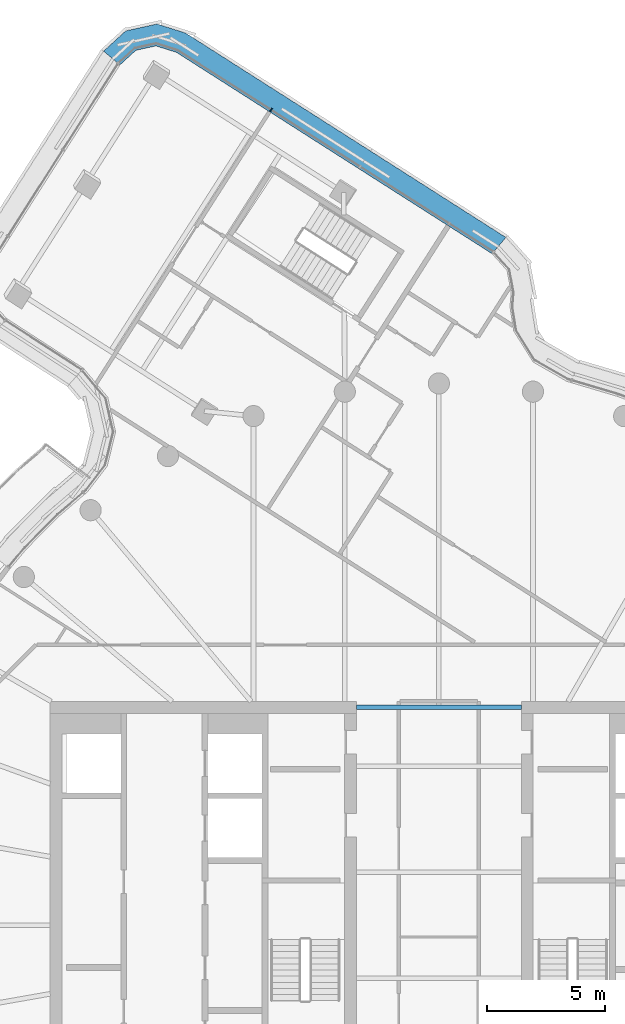
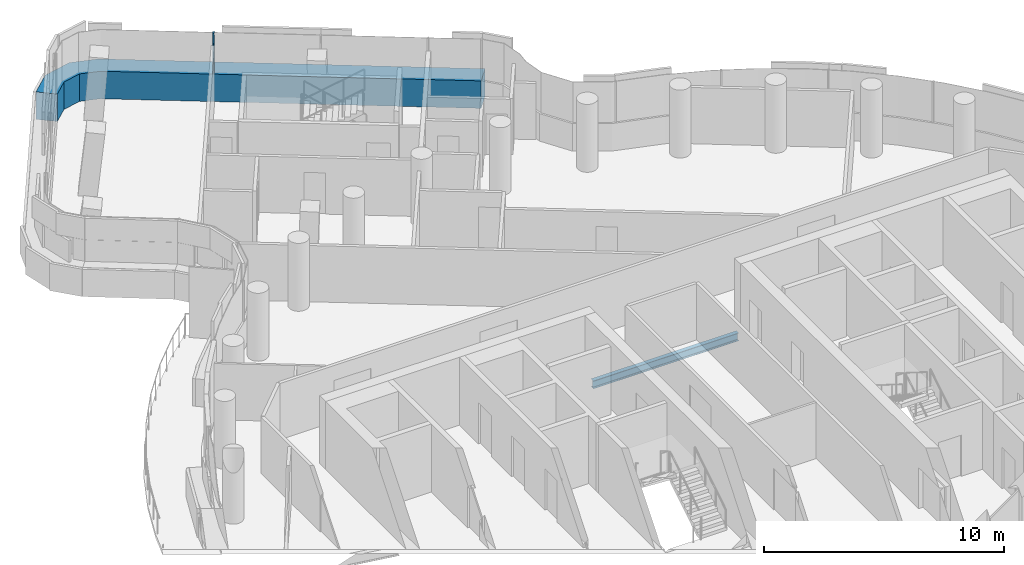
# One storey, part 10 of 27: 2 members, 1 beam, 1 element without a shape of its own.
"""IFC4 building model written with IfcOpenShell, lengths in metres."""

from ifc_helpers import new_model, si_unit, direction, frame, origin, origin_2d, place, context, subcontext, project, spatial, polyline, rectangle, i_section, outline, extrude, material, layer, layer_set, material_profile, profile_set, type_object, element, aggregate, save


model = new_model("IFC4")

# Units and contexts
model_context = context("Model", 3, precision=1e-05, world=origin(), true_north=direction((0.0, 1.0)))
body_context = subcontext(model_context, "Body", "Model", "MODEL_VIEW")
ifc_project = project(units=[si_unit("LENGTHUNIT", "METRE"), si_unit("AREAUNIT", "SQUARE_METRE"), si_unit("VOLUMEUNIT", "CUBIC_METRE"), si_unit("PLANEANGLEUNIT", "RADIAN"), si_unit("MASSUNIT", "GRAM", prefix="KILO")], contexts=[model_context])

# Site, building, storey
site_placement = place(None, origin())
site = spatial("IfcSite", under=ifc_project, at=site_placement, CompositionType="ELEMENT")
building_placement = place(site_placement, origin())
building = spatial("IfcBuilding", under=site, at=building_placement, Name="Tamarind Cross Interchange Tower", CompositionType="ELEMENT")
storey_placement = place(building_placement, frame((0.0, 0.0, 241.5)))
storey = spatial("IfcBuildingStorey", under=building, at=storey_placement, Name="L61", CompositionType="ELEMENT", Elevation=241.5)

# Beam
ifc_material_1 = material(Name="Steel Q355B", Category="steel")
ifc_material_profile_1 = material_profile(ifc_material_1, i_section(OverallWidth=0.199951171875, OverallDepth=0.39990234375, WebThickness=0.008056640625, FlangeThickness=0.012939453125, FilletRadius=0.01611328125, at=origin_2d()), Name="HN 400x200x8x13")
ifc_profile_set_1 = profile_set([ifc_material_profile_1], Name="Steel Q355B")
beam_type = type_object("IfcBeamType", Name="Composite beam HN 400x200x8x13 Q355B", PredefinedType="BEAM", material=ifc_profile_set_1)
beam_placement = place(storey_placement, frame((-3.5, 9.25, -0.340087890625), z_axis=(1.0, 0.0, 0.0), x_axis=(0.0, 1.0, 0.0)))
element("IfcBeam", 1, at=beam_placement, inside=storey, type_object=beam_type, Name="Beam G9.25", PredefinedType="BEAM", context=body_context, shape_type="SweptSolid", body=[
    extrude(i_section(OverallWidth=0.199951171875, OverallDepth=0.39990234375, WebThickness=0.008056640625, FlangeThickness=0.012939453125, FilletRadius=0.01611328125, at=origin_2d()), origin(), (0.0, 0.0, 1.0), 7.0),
])

# Curtain wall, members
ifc_material_2 = material(Name="Aluminium 6063-T6", Category="aluminium")
ifc_layer = layer(ifc_material_2, 0.139892578125)
ifc_layer_set = layer_set([ifc_layer], Name="Aluminium 6063-T6")
curtain_wall_type = type_object("IfcCurtainWallType", Name="Hotel curtain wall, 4.5 m bays", PredefinedType="NOTDEFINED", material=ifc_layer_set)
curtain_wall_placement = place(storey_placement, origin())
curtain_wall = element("IfcCurtainWall", 2, at=curtain_wall_placement, inside=storey, type_object=curtain_wall_type, Name="CWS-L61-03", PredefinedType="NOTDEFINED")
ifc_material_3 = material(Name="Aluminium and insulated spandrel panel", Category="aluminium")
member_type_1 = type_object("IfcMemberType", Name="Floor-edge blade transom", PredefinedType="USERDEFINED", material=ifc_material_3)
member_1_placement = place(storey_placement, origin())
member_1 = element("IfcMember", 3, at=member_1_placement, type_object=member_type_1, Name="CWT-L61-03", ObjectType="TRANSOM", PredefinedType="USERDEFINED", context=body_context, shape_type="SweptSolid", body=[
    extrude(outline(polyline([(2.258544921875, 28.50634765625), (-11.13720703125, 37.05224609375), (-12.010009765625, 37.328125), (-12.864013671875, 37.139404296875), (-13.539306640625, 36.521484375), (-14.234375, 37.10546875), (-13.293701171875, 37.966064453125), (-11.968994140625, 38.259033203125), (-10.753173828125, 37.874755859375), (2.846435546875, 29.198974609375), (2.258544921875, 28.50634765625)])), origin(), (0.0, 0.0, 1.0), 1.39990234375),
])
ifc_material_profile_2 = material_profile(ifc_material_2, rectangle(XDim=0.06005859375, YDim=0.139892578125, at=origin_2d()), Name="Mullion CW2")
ifc_profile_set_2 = profile_set([ifc_material_profile_2], Name="Aluminium 6063-T6")
member_type_2 = type_object("IfcMemberType", Name="Mullion CW2", PredefinedType="MULLION", material=ifc_profile_set_2)
member_2_placement = place(storey_placement, frame((-7.125, 34.611328125, 1.39990234375), z_axis=(0.0, 0.0, 1.0), x_axis=(-0.843053684056, 0.537829420727, 0.0)))
member_2 = element("IfcMember", 4, at=member_2_placement, type_object=member_type_2, Name="CWM-L61-03-03", PredefinedType="MULLION", context=body_context, shape_type="SweptSolid", body=[
    extrude(rectangle(XDim=0.06005859375, YDim=0.139892578125, at=origin_2d()), origin(), (0.0, 0.0, 1.0), 2.06005859375),
])
aggregate(curtain_wall, [member_2, member_1])

save(model, "model.ifc")
